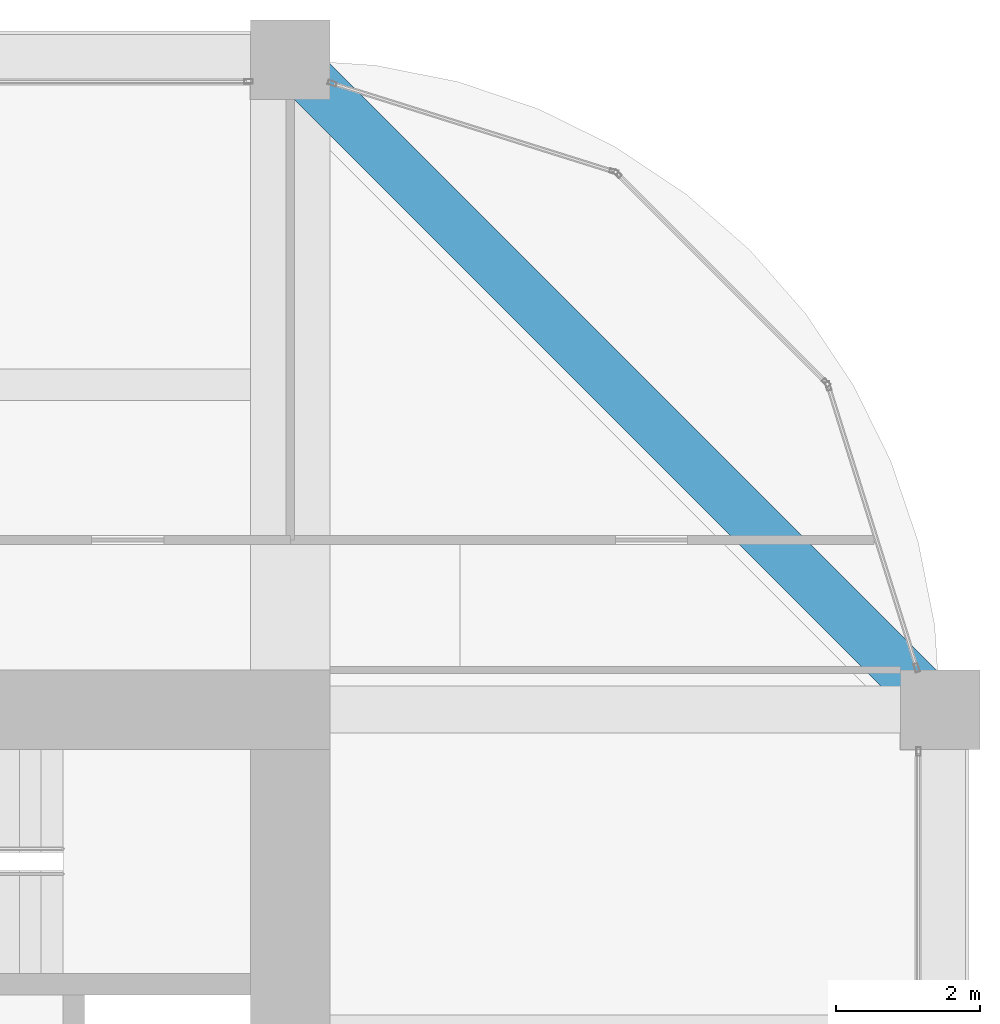
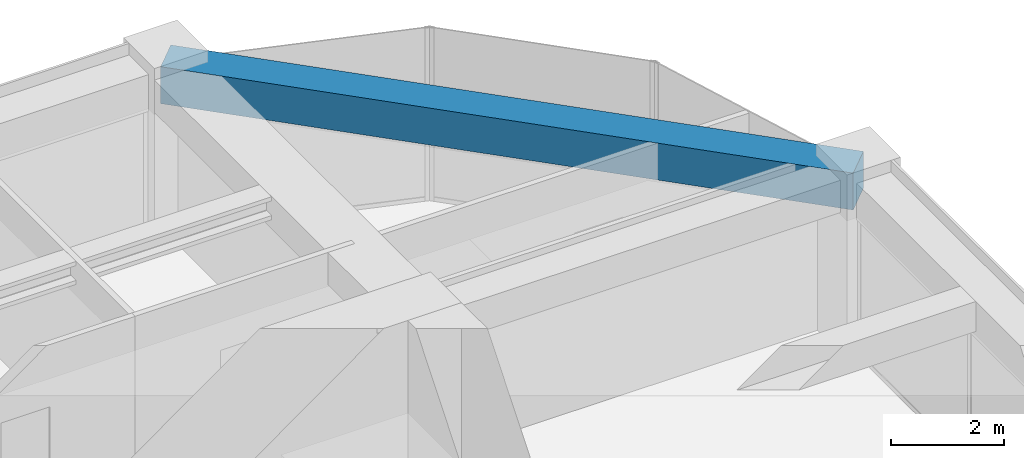
# One storey, part 38 of 44: 1 beam.
"""IFC4 building model written with IfcOpenShell, lengths in metres."""

from ifc_helpers import new_model, si_unit, direction, frame, origin, origin_2d, place, context, subcontext, project, spatial, rectangle, extrude, material, material_profile, profile_set, type_object, element, save


model = new_model("IFC4")

# Units and contexts
model_context = context("Model", 3, precision=1e-05, world=origin(), true_north=direction((0.0, 1.0)))
body_context = subcontext(model_context, "Body", "Model", "MODEL_VIEW")
ifc_project = project(units=[si_unit("LENGTHUNIT", "METRE"), si_unit("AREAUNIT", "SQUARE_METRE"), si_unit("VOLUMEUNIT", "CUBIC_METRE"), si_unit("PLANEANGLEUNIT", "RADIAN"), si_unit("MASSUNIT", "GRAM", prefix="KILO")], contexts=[model_context])

# Site, building, storey
site_placement = place(None, origin())
site = spatial("IfcSite", under=ifc_project, at=site_placement, CompositionType="ELEMENT")
building_placement = place(site_placement, origin())
building = spatial("IfcBuilding", under=site, at=building_placement, Name="Zorevar Civic Tower", CompositionType="ELEMENT")
storey_placement = place(building_placement, frame((0.0, 0.0, 283.39990234375)))
storey = spatial("IfcBuildingStorey", under=building, at=storey_placement, Name="L69", CompositionType="ELEMENT", Elevation=283.39990234375)

# Beam
ifc_material = material(Name="Concrete C50/60", Category="concrete")
ifc_material_profile = material_profile(ifc_material, rectangle(XDim=0.699951171875, YDim=0.800048828125, at=origin_2d()), Name="RC 700x800")
ifc_profile_set = profile_set([ifc_material_profile], Name="Concrete C50/60")
beam_type = type_object("IfcBeamType", Name="Edge beam RC 700x800", PredefinedType="SPANDREL", material=ifc_profile_set)
beam_placement = place(storey_placement, frame((54.0, 36.0, 3.35009765625), z_axis=(-0.707106781187, 0.707106781187, 0.0), x_axis=(-0.707106781187, -0.707106781187, 0.0)))
element("IfcBeam", 1, at=beam_placement, inside=storey, type_object=beam_type, Name="Corner edge beam L70", PredefinedType="SPANDREL", context=body_context, shape_type="SweptSolid", body=[
    extrude(rectangle(XDim=0.699951171875, YDim=0.800048828125, at=origin_2d()), origin(), (0.0, 0.0, 1.0), 12.72802734375),
])

save(model, "model.ifc")
